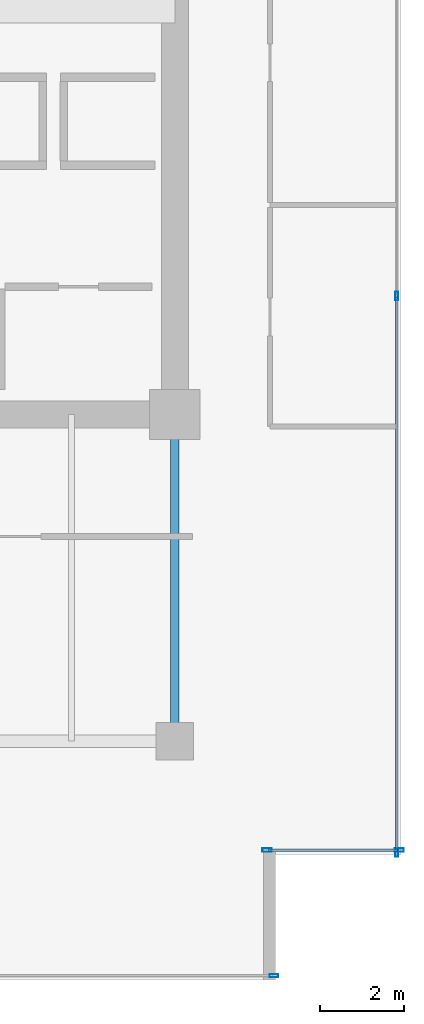
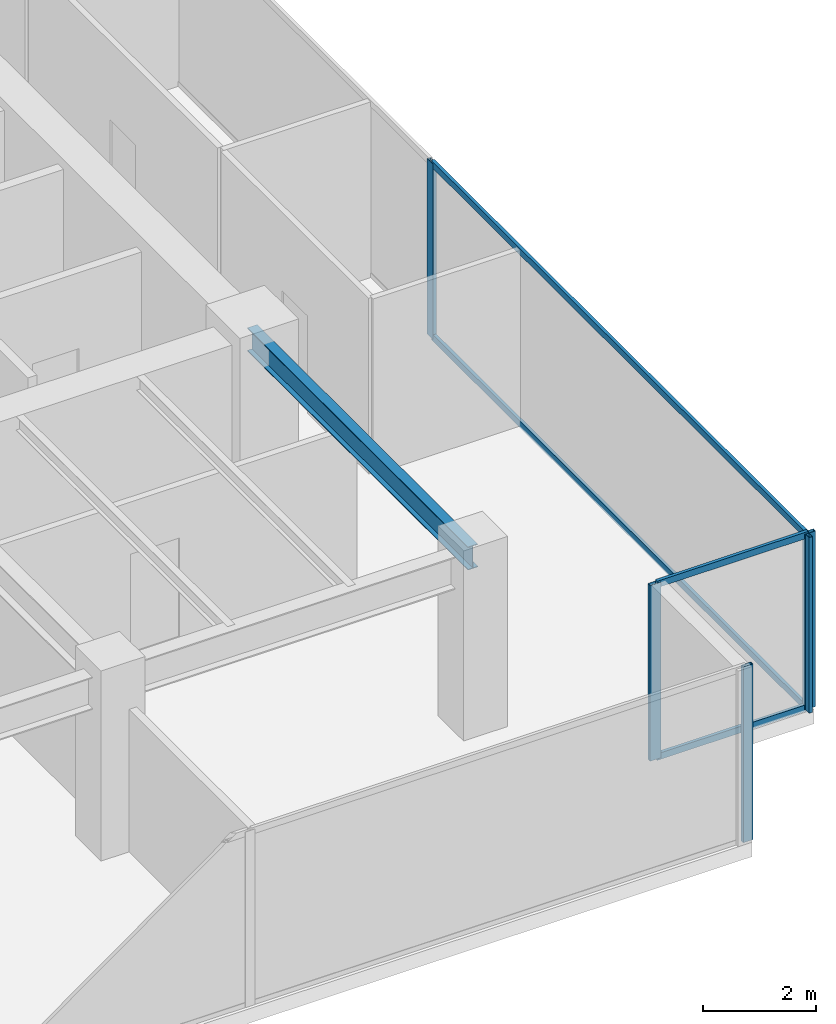
# One storey, part 21 of 30: 9 members, 1 beam, 3 elements without a shape of their own.
"""IFC4 building model written with IfcOpenShell, lengths in metres."""

from ifc_helpers import new_model, si_unit, direction, frame, origin, origin_2d, place, context, subcontext, project, spatial, hollow_rectangle, i_section, extrude, source, transform, mapped, material, layer, layer_set, material_profile, profile_set, type_object, type_shapes, element, aggregate, save


model = new_model("IFC4")

# Units and contexts
model_context = context("Model", 3, precision=1e-05, world=origin(), true_north=direction((0.0, 1.0)))
body_context = subcontext(model_context, "Body", "Model", "MODEL_VIEW")
ifc_project = project(units=[si_unit("LENGTHUNIT", "METRE"), si_unit("AREAUNIT", "SQUARE_METRE"), si_unit("VOLUMEUNIT", "CUBIC_METRE"), si_unit("PLANEANGLEUNIT", "RADIAN"), si_unit("MASSUNIT", "GRAM", prefix="KILO")], contexts=[model_context])

# Site, building, storey
site_placement = place(None, origin())
site = spatial("IfcSite", under=ifc_project, at=site_placement, CompositionType="ELEMENT")
building_placement = place(site_placement, origin())
building = spatial("IfcBuilding", under=site, at=building_placement, Name="Haelvirn Gate Laboratories", CompositionType="ELEMENT")
storey_placement = place(building_placement, frame((0.0, 0.0, 142.0)))
storey = spatial("IfcBuildingStorey", under=building, at=storey_placement, Name="L34", CompositionType="ELEMENT", Elevation=142.0)

# Beam
ifc_material_1 = material(Name="Steel SM355", Category="steel")
ifc_material_profile_1 = material_profile(ifc_material_1, i_section(OverallWidth=0.199951171875, OverallDepth=0.5, WebThickness=0.010009765625, FlangeThickness=0.01611328125, at=origin_2d()), Name="H-500x200x10x16")
ifc_profile_set_1 = profile_set([ifc_material_profile_1], Name="Steel SM355")
beam_type = type_object("IfcBeamType", Name="BM-SP-500", PredefinedType="SPANDREL", material=ifc_profile_set_1)
shared_shape_1 = source(origin(), body_context, "Body", "SweptSolid", [
    extrude(i_section(OverallWidth=0.199951171875, OverallDepth=0.5, WebThickness=0.010009765625, FlangeThickness=0.01611328125, at=origin_2d()), origin(), (0.0, 0.0, 1.0), 7.800048828125),
])
type_shapes(beam_type, [shared_shape_1])
beam_placement = place(storey_placement, frame((67.39990234375, 7.0, 3.5400390625), z_axis=(0.0, 1.0, 0.0), x_axis=(-1.0, 0.0, 0.0)))
element("IfcBeam", 1, at=beam_placement, inside=storey, type_object=beam_type, Name="L34 Perimeter Spandrel X67.4 (7.0-14.8)", PredefinedType="SPANDREL", context=body_context, shape_type="MappedRepresentation", body=[
    mapped(shared_shape_1, transform((0.0, 0.0, 0.0), scale=1.0)),
])

# Curtain wall, members
ifc_material_2 = material(Name="Anodised bronze unitised aluminium & triple low-E glass", Category="aluminium")
ifc_layer_1 = layer(ifc_material_2, 0.181884765625, Name="CW-SYS-5")
ifc_layer_set_1 = layer_set([ifc_layer_1], Name="Anodised bronze unitised aluminium & triple low-E glass")
curtain_wall_type_1 = type_object("IfcCurtainWallType", Name="CW-SYS-5", PredefinedType="NOTDEFINED", material=ifc_layer_set_1)
curtain_wall_1_placement = place(storey_placement, origin())
curtain_wall_1 = element("IfcCurtainWall", 2, at=curtain_wall_1_placement, inside=storey, type_object=curtain_wall_type_1, Name="L34 Unitised Curtain Wall CW-L34-P0-E06-1", PredefinedType="NOTDEFINED")
ifc_material_3 = material(Name="Extruded aluminium 6063-T6 (anodised bronze)", Category="aluminium")
ifc_material_profile_2 = material_profile(ifc_material_3, hollow_rectangle(XDim=0.06494140625, YDim=0.139892578125, WallThickness=0.00390625, at=origin_2d()), Name="CWT-140x65x4")
ifc_profile_set_2 = profile_set([ifc_material_profile_2], Name="Extruded aluminium 6063-T6 (anodised bronze)")
member_type_1 = type_object("IfcMemberType", Name="CWT-T140", PredefinedType="USERDEFINED", material=ifc_profile_set_2)
shared_shape_2 = source(origin(), body_context, "Body", "SweptSolid", [
    extrude(hollow_rectangle(XDim=0.06494140625, YDim=0.139892578125, WallThickness=0.00390625, at=origin_2d()), origin(), (0.0, 0.0, 1.0), 3.080078125),
])
member_1_placement = place(storey_placement, frame((69.639892578125, 4.39990234375, 0.032470703125), z_axis=(1.0, 0.0, 0.0), x_axis=(0.0, 1.0, 0.0)))
member_1 = element("IfcMember", 3, at=member_1_placement, type_object=member_type_1, Name="CW5 transom 1.1", ObjectType="TRANSOM", PredefinedType="USERDEFINED", context=body_context, shape_type="MappedRepresentation", body=[
    mapped(shared_shape_2, transform((0.0, 0.0, 0.0), scale=1.0)),
])
member_2_placement = place(storey_placement, frame((69.639892578125, 4.39990234375, 3.757568359375), z_axis=(1.0, 0.0, 0.0), x_axis=(0.0, 1.0, 0.0)))
member_2 = element("IfcMember", 4, at=member_2_placement, type_object=member_type_1, Name="CW5 transom 1.2", ObjectType="TRANSOM", PredefinedType="USERDEFINED", context=body_context, shape_type="MappedRepresentation", body=[
    mapped(shared_shape_2, transform((0.0, 0.0, 0.0), scale=1.0)),
])

ifc_layer_2 = layer(ifc_material_2, 0.179931640625, Name="CW-SYS-3")
ifc_layer_set_2 = layer_set([ifc_layer_2], Name="Anodised bronze unitised aluminium & triple low-E glass")
curtain_wall_type_2 = type_object("IfcCurtainWallType", Name="CW-SYS-3", PredefinedType="NOTDEFINED", material=ifc_layer_set_2)
curtain_wall_2_placement = place(storey_placement, origin())
curtain_wall_2 = element("IfcCurtainWall", 5, at=curtain_wall_2_placement, inside=storey, type_object=curtain_wall_type_2, Name="L34 Unitised Curtain Wall CW-L34-P0-E07", PredefinedType="NOTDEFINED")
shared_shape_3 = source(origin(), body_context, "Body", "SweptSolid", [
    extrude(hollow_rectangle(XDim=0.06494140625, YDim=0.139892578125, WallThickness=0.00390625, at=origin_2d()), origin(), (0.0, 0.0, 1.0), 13.220947265625),
])
type_shapes(member_type_1, [shared_shape_2, shared_shape_3])
member_3_placement = place(storey_placement, frame((72.699951171875, 4.375, 0.032470703125), z_axis=(0.0, 1.0, 0.0), x_axis=(-1.0, 0.0, 0.0)))
member_3 = element("IfcMember", 6, at=member_3_placement, type_object=member_type_1, Name="CW3 transom 1.1", ObjectType="TRANSOM", PredefinedType="USERDEFINED", context=body_context, shape_type="MappedRepresentation", body=[
    mapped(shared_shape_3, transform((0.0, 0.0, 0.0), scale=1.0)),
])
member_4_placement = place(storey_placement, frame((72.699951171875, 4.375, 3.757568359375), z_axis=(0.0, 1.0, 0.0), x_axis=(-1.0, 0.0, 0.0)))
member_4 = element("IfcMember", 7, at=member_4_placement, type_object=member_type_1, Name="CW3 transom 1.2", ObjectType="TRANSOM", PredefinedType="USERDEFINED", context=body_context, shape_type="MappedRepresentation", body=[
    mapped(shared_shape_3, transform((0.0, 0.0, 0.0), scale=1.0)),
])

# Curtain wall, member
curtain_wall_3_placement = place(storey_placement, origin())
curtain_wall_3 = element("IfcCurtainWall", 8, at=curtain_wall_3_placement, inside=storey, type_object=curtain_wall_type_2, Name="L34 Unitised Curtain Wall CW-L34-P0-E04-1", PredefinedType="NOTDEFINED")
ifc_material_profile_3 = material_profile(ifc_material_3, hollow_rectangle(XDim=0.074951171875, YDim=0.199951171875, WallThickness=0.0048828125, at=origin_2d()), Name="CWM-200x75x5")
ifc_profile_set_3 = profile_set([ifc_material_profile_3], Name="Extruded aluminium 6063-T6 (anodised bronze)")
member_type_2 = type_object("IfcMemberType", Name="CWM-T200", PredefinedType="MULLION", material=ifc_profile_set_3)
shared_shape_4 = source(origin(), body_context, "Body", "SweptSolid", [
    extrude(hollow_rectangle(XDim=0.074951171875, YDim=0.199951171875, WallThickness=0.0048828125, at=origin_2d()), origin(), (0.0, 0.0, 1.0), 3.7900390625),
])
type_shapes(member_type_2, [shared_shape_4])
member_5_placement = place(storey_placement, frame((69.762451171875, 1.39990234375, 0.0), z_axis=(0.0, 0.0, 1.0), x_axis=(0.0, 1.0, 0.0)))
member_5 = element("IfcMember", 9, at=member_5_placement, type_object=member_type_2, Name="CW3 mullion 3", PredefinedType="MULLION", context=body_context, shape_type="MappedRepresentation", body=[
    mapped(shared_shape_4, transform((0.0, 0.0, 0.0), scale=1.0)),
])
aggregate(curtain_wall_3, [member_5])

# Member
member_6_placement = place(storey_placement, frame((72.699951171875, 4.33740234375, 0.0), z_axis=(0.0, 0.0, 1.0), x_axis=(-1.0, 0.0, 0.0)))
member_6 = element("IfcMember", 10, at=member_6_placement, type_object=member_type_2, Name="CW3 mullion 1", PredefinedType="MULLION", context=body_context, shape_type="MappedRepresentation", body=[
    mapped(shared_shape_4, transform((0.0, 0.0, 0.0), scale=1.0)),
])

member_7_placement = place(storey_placement, frame((72.699951171875, 17.63330078125, 0.0), z_axis=(0.0, 0.0, 1.0), x_axis=(-1.0, 0.0, 0.0)))
member_7 = element("IfcMember", 11, at=member_7_placement, type_object=member_type_2, Name="CW3 mullion 2", PredefinedType="MULLION", context=body_context, shape_type="MappedRepresentation", body=[
    mapped(shared_shape_4, transform((0.0, 0.0, 0.0), scale=1.0)),
])

aggregate(curtain_wall_2, [member_6, member_7, member_3, member_4])

ifc_material_profile_4 = material_profile(ifc_material_3, hollow_rectangle(XDim=0.080078125, YDim=0.219970703125, WallThickness=0.006103515625, at=origin_2d()), Name="CWM-220x80x6")
ifc_profile_set_4 = profile_set([ifc_material_profile_4], Name="Extruded aluminium 6063-T6 (anodised bronze)")
member_type_3 = type_object("IfcMemberType", Name="CWM-T220", PredefinedType="MULLION", material=ifc_profile_set_4)
shared_shape_5 = source(origin(), body_context, "Body", "SweptSolid", [
    extrude(hollow_rectangle(XDim=0.080078125, YDim=0.219970703125, WallThickness=0.006103515625, at=origin_2d()), origin(), (0.0, 0.0, 1.0), 3.7900390625),
])
type_shapes(member_type_3, [shared_shape_5])
member_8_placement = place(storey_placement, frame((69.60009765625, 4.39990234375, 0.0), z_axis=(0.0, 0.0, 1.0), x_axis=(0.0, 1.0, 0.0)))
member_8 = element("IfcMember", 12, at=member_8_placement, type_object=member_type_3, Name="CW5 mullion 1", PredefinedType="MULLION", context=body_context, shape_type="MappedRepresentation", body=[
    mapped(shared_shape_5, transform((0.0, 0.0, 0.0), scale=1.0)),
])

member_9_placement = place(storey_placement, frame((72.760009765625, 4.39990234375, 0.0), z_axis=(0.0, 0.0, 1.0), x_axis=(0.0, 1.0, 0.0)))
member_9 = element("IfcMember", 13, at=member_9_placement, type_object=member_type_3, Name="CW5 mullion 2", PredefinedType="MULLION", context=body_context, shape_type="MappedRepresentation", body=[
    mapped(shared_shape_5, transform((0.0, 0.0, 0.0), scale=1.0)),
])

aggregate(curtain_wall_1, [member_8, member_9, member_1, member_2])

save(model, "model.ifc")
